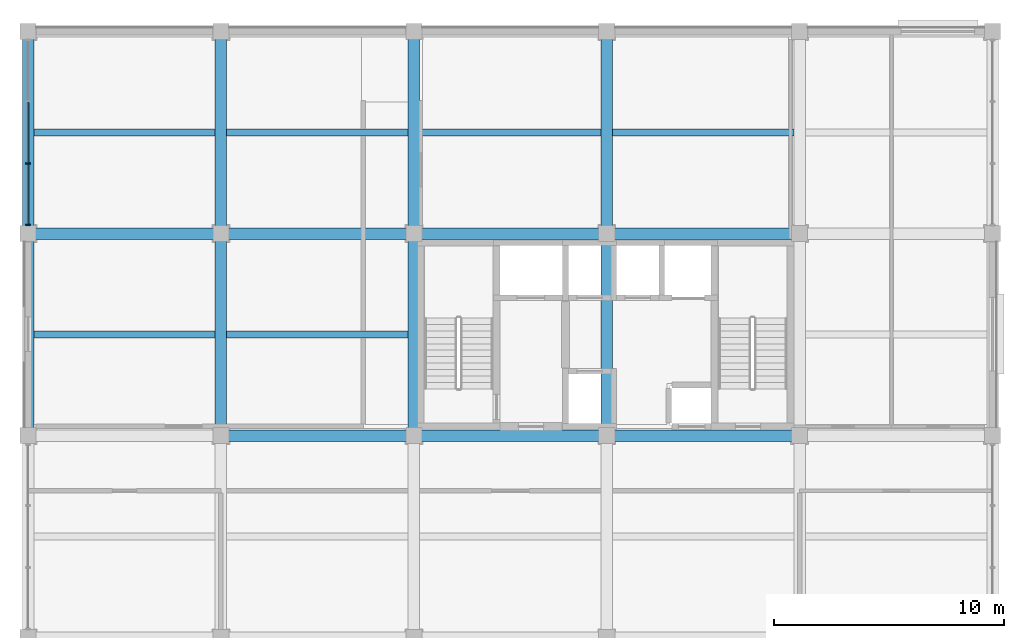
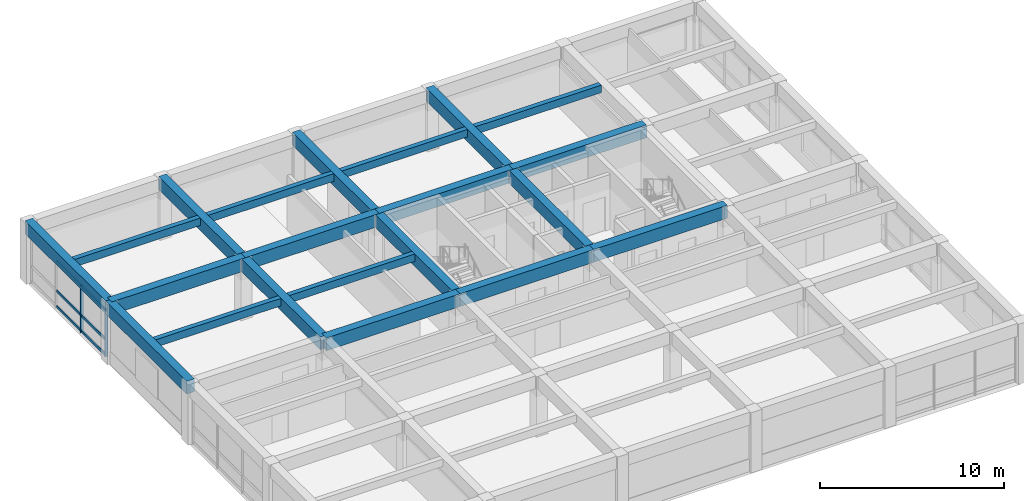
# One storey, part 3 of 14: 21 beams, 8 members, 1 element without a shape of its own.
"""IFC4 building model written with IfcOpenShell, lengths in metres."""

from ifc_helpers import new_model, si_unit, direction, frame, origin, origin_2d, place, context, subcontext, project, spatial, rectangle, extrude, material, material_profile, profile_set, type_object, element, aggregate, save


model = new_model("IFC4")

# Units and contexts
model_context = context("Model", 3, precision=1e-05, world=origin(), true_north=direction((0.0, 1.0)))
body_context = subcontext(model_context, "Body", "Model", "MODEL_VIEW")
ifc_project = project(units=[si_unit("LENGTHUNIT", "METRE"), si_unit("AREAUNIT", "SQUARE_METRE"), si_unit("VOLUMEUNIT", "CUBIC_METRE"), si_unit("PLANEANGLEUNIT", "RADIAN"), si_unit("MASSUNIT", "GRAM", prefix="KILO")], contexts=[model_context])

# Site, building, storey
site_placement = place(None, origin())
site = spatial("IfcSite", under=ifc_project, at=site_placement, CompositionType="ELEMENT")
building_placement = place(site_placement, origin())
building = spatial("IfcBuilding", under=site, at=building_placement, Name="Kemercrest Conservatory and Botanical Centre", CompositionType="ELEMENT")
storey_placement = place(building_placement, frame((0.0, 0.0, 28.800048828125)))
storey = spatial("IfcBuildingStorey", under=building, at=storey_placement, Name="L07", CompositionType="ELEMENT", Elevation=28.800048828125)

# Beams
ifc_material_1 = material(Name="Concrete C50/60", Category="concrete")
ifc_material_profile_1 = material_profile(ifc_material_1, rectangle(XDim=0.5, YDim=0.85009765625, at=origin_2d()), Name="RC 500x850")
ifc_profile_set_1 = profile_set([ifc_material_profile_1], Name="Concrete C50/60")
beam_type_1 = type_object("IfcBeamType", Name="BM-RC85", PredefinedType="BEAM", material=ifc_profile_set_1)
beam_1_placement = place(storey_placement, frame((142.39990234375, 104.800048828125, 3.574951171875), z_axis=(1.0, 0.0, 0.0), x_axis=(0.0, 1.0, 0.0)))
element("IfcBeam", 1, at=beam_1_placement, inside=storey, type_object=beam_type_1, Name="V4-L08 beam BM-RC85 M/17-18", PredefinedType="BEAM", context=body_context, shape_type="SweptSolid", body=[
    extrude(rectangle(XDim=0.5, YDim=0.85009765625, at=origin_2d()), origin(), (0.0, 0.0, 1.0), 8.400146484375),
])
beam_2_placement = place(storey_placement, frame((150.800048828125, 104.800048828125, 3.574951171875), z_axis=(1.0, 0.0, 0.0), x_axis=(0.0, 1.0, 0.0)))
element("IfcBeam", 2, at=beam_2_placement, inside=storey, type_object=beam_type_1, Name="V4-L08 beam BM-RC85 M/18-19", PredefinedType="BEAM", context=body_context, shape_type="SweptSolid", body=[
    extrude(rectangle(XDim=0.5, YDim=0.85009765625, at=origin_2d()), origin(), (0.0, 0.0, 1.0), 8.39990234375),
])
beam_3_placement = place(storey_placement, frame((159.199951171875, 104.800048828125, 3.574951171875), z_axis=(1.0, 0.0, 0.0), x_axis=(0.0, 1.0, 0.0)))
element("IfcBeam", 3, at=beam_3_placement, inside=storey, type_object=beam_type_1, Name="V4-L08 beam BM-RC85 M/19-20", PredefinedType="BEAM", context=body_context, shape_type="SweptSolid", body=[
    extrude(rectangle(XDim=0.5, YDim=0.85009765625, at=origin_2d()), origin(), (0.0, 0.0, 1.0), 8.400146484375),
])
beam_4_placement = place(storey_placement, frame((134.0, 113.60009765625, 3.574951171875), z_axis=(1.0, 0.0, 0.0), x_axis=(0.0, 1.0, 0.0)))
element("IfcBeam", 4, at=beam_4_placement, inside=storey, type_object=beam_type_1, Name="V4-L08 beam BM-RC85 N/16-17", PredefinedType="BEAM", context=body_context, shape_type="SweptSolid", body=[
    extrude(rectangle(XDim=0.5, YDim=0.85009765625, at=origin_2d()), origin(), (0.0, 0.0, 1.0), 8.39990234375),
])
beam_5_placement = place(storey_placement, frame((142.39990234375, 113.60009765625, 3.574951171875), z_axis=(1.0, 0.0, 0.0), x_axis=(0.0, 1.0, 0.0)))
element("IfcBeam", 5, at=beam_5_placement, inside=storey, type_object=beam_type_1, Name="V4-L08 beam BM-RC85 N/17-18", PredefinedType="BEAM", context=body_context, shape_type="SweptSolid", body=[
    extrude(rectangle(XDim=0.5, YDim=0.85009765625, at=origin_2d()), origin(), (0.0, 0.0, 1.0), 8.400146484375),
])
beam_6_placement = place(storey_placement, frame((150.800048828125, 113.60009765625, 3.574951171875), z_axis=(1.0, 0.0, 0.0), x_axis=(0.0, 1.0, 0.0)))
element("IfcBeam", 6, at=beam_6_placement, inside=storey, type_object=beam_type_1, Name="V4-L08 beam BM-RC85 N/18-19", PredefinedType="BEAM", context=body_context, shape_type="SweptSolid", body=[
    extrude(rectangle(XDim=0.5, YDim=0.85009765625, at=origin_2d()), origin(), (0.0, 0.0, 1.0), 8.39990234375),
])
beam_7_placement = place(storey_placement, frame((159.199951171875, 113.60009765625, 3.574951171875), z_axis=(1.0, 0.0, 0.0), x_axis=(0.0, 1.0, 0.0)))
element("IfcBeam", 7, at=beam_7_placement, inside=storey, type_object=beam_type_1, Name="V4-L08 beam BM-RC85 N/19-20", PredefinedType="BEAM", context=body_context, shape_type="SweptSolid", body=[
    extrude(rectangle(XDim=0.5, YDim=0.85009765625, at=origin_2d()), origin(), (0.0, 0.0, 1.0), 8.400146484375),
])
beam_8_placement = place(storey_placement, frame((142.39990234375, 104.800048828125, 3.574951171875), z_axis=(0.0, 1.0, 0.0), x_axis=(-1.0, 0.0, 0.0)))
element("IfcBeam", 8, at=beam_8_placement, inside=storey, type_object=beam_type_1, Name="V4-L08 beam BM-RC85 17/M-N", PredefinedType="BEAM", context=body_context, shape_type="SweptSolid", body=[
    extrude(rectangle(XDim=0.5, YDim=0.85009765625, at=origin_2d()), origin(), (0.0, 0.0, 1.0), 8.800048828125),
])
beam_9_placement = place(storey_placement, frame((142.39990234375, 113.60009765625, 3.574951171875), z_axis=(0.0, 1.0, 0.0), x_axis=(-1.0, 0.0, 0.0)))
element("IfcBeam", 9, at=beam_9_placement, inside=storey, type_object=beam_type_1, Name="V4-L08 beam BM-RC85 17/N-P", PredefinedType="BEAM", context=body_context, shape_type="SweptSolid", body=[
    extrude(rectangle(XDim=0.5, YDim=0.85009765625, at=origin_2d()), origin(), (0.0, 0.0, 1.0), 8.7998046875),
])
beam_10_placement = place(storey_placement, frame((150.800048828125, 104.800048828125, 3.574951171875), z_axis=(0.0, 1.0, 0.0), x_axis=(-1.0, 0.0, 0.0)))
element("IfcBeam", 10, at=beam_10_placement, inside=storey, type_object=beam_type_1, Name="V4-L08 beam BM-RC85 18/M-N", PredefinedType="BEAM", context=body_context, shape_type="SweptSolid", body=[
    extrude(rectangle(XDim=0.5, YDim=0.85009765625, at=origin_2d()), origin(), (0.0, 0.0, 1.0), 8.800048828125),
])
beam_11_placement = place(storey_placement, frame((150.800048828125, 113.60009765625, 3.574951171875), z_axis=(0.0, 1.0, 0.0), x_axis=(-1.0, 0.0, 0.0)))
element("IfcBeam", 11, at=beam_11_placement, inside=storey, type_object=beam_type_1, Name="V4-L08 beam BM-RC85 18/N-P", PredefinedType="BEAM", context=body_context, shape_type="SweptSolid", body=[
    extrude(rectangle(XDim=0.5, YDim=0.85009765625, at=origin_2d()), origin(), (0.0, 0.0, 1.0), 8.7998046875),
])
beam_12_placement = place(storey_placement, frame((159.199951171875, 104.800048828125, 3.574951171875), z_axis=(0.0, 1.0, 0.0), x_axis=(-1.0, 0.0, 0.0)))
element("IfcBeam", 12, at=beam_12_placement, inside=storey, type_object=beam_type_1, Name="V4-L08 beam BM-RC85 19/M-N", PredefinedType="BEAM", context=body_context, shape_type="SweptSolid", body=[
    extrude(rectangle(XDim=0.5, YDim=0.85009765625, at=origin_2d()), origin(), (0.0, 0.0, 1.0), 8.800048828125),
])
beam_13_placement = place(storey_placement, frame((159.199951171875, 113.60009765625, 3.574951171875), z_axis=(0.0, 1.0, 0.0), x_axis=(-1.0, 0.0, 0.0)))
element("IfcBeam", 13, at=beam_13_placement, inside=storey, type_object=beam_type_1, Name="V4-L08 beam BM-RC85 19/N-P", PredefinedType="BEAM", context=body_context, shape_type="SweptSolid", body=[
    extrude(rectangle(XDim=0.5, YDim=0.85009765625, at=origin_2d()), origin(), (0.0, 0.0, 1.0), 8.7998046875),
])

# Curtain wall, members
ifc_material_2 = material(Name="Thermally broken aluminium and triple low-e glazing", Category="aluminium")
curtain_wall_type = type_object("IfcCurtainWallType", Name="CW-03", PredefinedType="USERDEFINED", material=ifc_material_2)
curtain_wall_placement = place(storey_placement, origin())
curtain_wall = element("IfcCurtainWall", 14, at=curtain_wall_placement, inside=storey, type_object=curtain_wall_type, Name="Unitised curtain wall CW-03 (CW:L07:V4-092)", ObjectType="UNITISED CURTAIN WALL", PredefinedType="USERDEFINED")
ifc_material_3 = material(Name="Thermally broken anodized aluminium 6063-T6", Category="aluminium")
ifc_material_profile_2 = material_profile(ifc_material_3, rectangle(XDim=0.199951171875, YDim=0.06494140625, at=origin_2d()), Name="AL MULLION 65x200")
ifc_profile_set_2 = profile_set([ifc_material_profile_2], Name="Thermally broken anodized aluminium 6063-T6")
member_type_1 = type_object("IfcMemberType", Name="CW-M200", PredefinedType="MULLION", material=ifc_profile_set_2)
member_1_placement = place(storey_placement, frame((134.0, 116.6484375, 0.0), z_axis=(0.0, 0.0, 1.0), x_axis=(1.0, 0.0, 0.0)))
member_1 = element("IfcMember", 15, at=member_1_placement, type_object=member_type_1, Name="CW-03 mullion 3", PredefinedType="MULLION", context=body_context, shape_type="SweptSolid", body=[
    extrude(rectangle(XDim=0.199951171875, YDim=0.06494140625, at=origin_2d()), origin(), (0.0, 0.0, 1.0), 3.155029296875),
])
member_2_placement = place(storey_placement, frame((134.0, 113.9775390625, 0.0), z_axis=(0.0, 0.0, 1.0), x_axis=(1.0, 0.0, 0.0)))
member_2 = element("IfcMember", 16, at=member_2_placement, type_object=member_type_1, Name="CW-03 mullion 4", PredefinedType="MULLION", context=body_context, shape_type="SweptSolid", body=[
    extrude(rectangle(XDim=0.199951171875, YDim=0.06494140625, at=origin_2d()), origin(), (0.0, 0.0, 1.0), 3.155029296875),
])
ifc_material_profile_3 = material_profile(ifc_material_3, rectangle(XDim=0.074951171875, YDim=0.179931640625, at=origin_2d()), Name="AL TRANSOM 75x180")
ifc_profile_set_3 = profile_set([ifc_material_profile_3], Name="Thermally broken anodized aluminium 6063-T6")
member_type_2 = type_object("IfcMemberType", Name="CW-T180", PredefinedType="USERDEFINED", material=ifc_profile_set_3)
member_3_placement = place(storey_placement, frame((134.0, 119.319091796875, 0.08984375), z_axis=(0.0, -1.0, 0.0), x_axis=(1.0, 0.0, 0.0)))
member_3 = element("IfcMember", 17, at=member_3_placement, type_object=member_type_2, Name="CW-03 transom 2.1", ObjectType="TRANSOM", PredefinedType="USERDEFINED", context=body_context, shape_type="SweptSolid", body=[
    extrude(rectangle(XDim=0.074951171875, YDim=0.179931640625, at=origin_2d()), origin(), (0.0, 0.0, 1.0), 2.63818359375),
])
member_4_placement = place(storey_placement, frame((134.0, 119.319091796875, 1.119873046875), z_axis=(0.0, -1.0, 0.0), x_axis=(1.0, 0.0, 0.0)))
member_4 = element("IfcMember", 18, at=member_4_placement, type_object=member_type_2, Name="CW-03 transom 2.2", ObjectType="TRANSOM", PredefinedType="USERDEFINED", context=body_context, shape_type="SweptSolid", body=[
    extrude(rectangle(XDim=0.074951171875, YDim=0.179931640625, at=origin_2d()), origin(), (0.0, 0.0, 1.0), 2.63818359375),
])
member_5_placement = place(storey_placement, frame((134.0, 119.319091796875, 3.06494140625), z_axis=(0.0, -1.0, 0.0), x_axis=(1.0, 0.0, 0.0)))
member_5 = element("IfcMember", 19, at=member_5_placement, type_object=member_type_2, Name="CW-03 transom 2.3", ObjectType="TRANSOM", PredefinedType="USERDEFINED", context=body_context, shape_type="SweptSolid", body=[
    extrude(rectangle(XDim=0.074951171875, YDim=0.179931640625, at=origin_2d()), origin(), (0.0, 0.0, 1.0), 2.63818359375),
])
member_6_placement = place(storey_placement, frame((134.0, 116.61572265625, 0.08984375), z_axis=(0.0, -1.0, 0.0), x_axis=(1.0, 0.0, 0.0)))
member_6 = element("IfcMember", 20, at=member_6_placement, type_object=member_type_2, Name="CW-03 transom 3.1", ObjectType="TRANSOM", PredefinedType="USERDEFINED", context=body_context, shape_type="SweptSolid", body=[
    extrude(rectangle(XDim=0.074951171875, YDim=0.179931640625, at=origin_2d()), origin(), (0.0, 0.0, 1.0), 2.605712890625),
])
member_7_placement = place(storey_placement, frame((134.0, 116.61572265625, 1.119873046875), z_axis=(0.0, -1.0, 0.0), x_axis=(1.0, 0.0, 0.0)))
member_7 = element("IfcMember", 21, at=member_7_placement, type_object=member_type_2, Name="CW-03 transom 3.2", ObjectType="TRANSOM", PredefinedType="USERDEFINED", context=body_context, shape_type="SweptSolid", body=[
    extrude(rectangle(XDim=0.074951171875, YDim=0.179931640625, at=origin_2d()), origin(), (0.0, 0.0, 1.0), 2.605712890625),
])
member_8_placement = place(storey_placement, frame((134.0, 116.61572265625, 3.06494140625), z_axis=(0.0, -1.0, 0.0), x_axis=(1.0, 0.0, 0.0)))
member_8 = element("IfcMember", 22, at=member_8_placement, type_object=member_type_2, Name="CW-03 transom 3.3", ObjectType="TRANSOM", PredefinedType="USERDEFINED", context=body_context, shape_type="SweptSolid", body=[
    extrude(rectangle(XDim=0.074951171875, YDim=0.179931640625, at=origin_2d()), origin(), (0.0, 0.0, 1.0), 2.605712890625),
])
aggregate(curtain_wall, [member_1, member_2, member_3, member_4, member_5, member_6, member_7, member_8])

# Beams
ifc_material_4 = material(Name="Concrete C40/50", Category="concrete")
ifc_material_profile_4 = material_profile(ifc_material_4, rectangle(XDim=0.300048828125, YDim=0.5, at=origin_2d()), Name="RC 300x500")
ifc_profile_set_4 = profile_set([ifc_material_profile_4], Name="Concrete C40/50")
beam_type_2 = type_object("IfcBeamType", Name="JS-RC50", PredefinedType="JOIST", material=ifc_profile_set_4)
beam_14_placement = place(storey_placement, frame((134.25, 109.199951171875, 3.75), z_axis=(1.0, 0.0, 0.0), x_axis=(0.0, 1.0, 0.0)))
element("IfcBeam", 23, at=beam_14_placement, inside=storey, type_object=beam_type_2, Name="V4-L08 secondary joist JS-RC50", PredefinedType="JOIST", context=body_context, shape_type="SweptSolid", body=[
    extrude(rectangle(XDim=0.300048828125, YDim=0.5, at=origin_2d()), origin(), (0.0, 0.0, 1.0), 7.89990234375),
])
beam_15_placement = place(storey_placement, frame((142.64990234375, 109.199951171875, 3.75), z_axis=(1.0, 0.0, 0.0), x_axis=(0.0, 1.0, 0.0)))
element("IfcBeam", 24, at=beam_15_placement, inside=storey, type_object=beam_type_2, Name="V4-L08 secondary joist JS-RC50", PredefinedType="JOIST", context=body_context, shape_type="SweptSolid", body=[
    extrude(rectangle(XDim=0.300048828125, YDim=0.5, at=origin_2d()), origin(), (0.0, 0.0, 1.0), 7.900146484375),
])
beam_16_placement = place(storey_placement, frame((134.25, 118.0, 3.75), z_axis=(1.0, 0.0, 0.0), x_axis=(0.0, 1.0, 0.0)))
element("IfcBeam", 25, at=beam_16_placement, inside=storey, type_object=beam_type_2, Name="V4-L08 secondary joist JS-RC50", PredefinedType="JOIST", context=body_context, shape_type="SweptSolid", body=[
    extrude(rectangle(XDim=0.300048828125, YDim=0.5, at=origin_2d()), origin(), (0.0, 0.0, 1.0), 7.89990234375),
])
beam_17_placement = place(storey_placement, frame((142.64990234375, 118.0, 3.75), z_axis=(1.0, 0.0, 0.0), x_axis=(0.0, 1.0, 0.0)))
element("IfcBeam", 26, at=beam_17_placement, inside=storey, type_object=beam_type_2, Name="V4-L08 secondary joist JS-RC50", PredefinedType="JOIST", context=body_context, shape_type="SweptSolid", body=[
    extrude(rectangle(XDim=0.300048828125, YDim=0.5, at=origin_2d()), origin(), (0.0, 0.0, 1.0), 7.900146484375),
])
beam_18_placement = place(storey_placement, frame((151.050048828125, 118.0, 3.75), z_axis=(1.0, 0.0, 0.0), x_axis=(0.0, 1.0, 0.0)))
element("IfcBeam", 27, at=beam_18_placement, inside=storey, type_object=beam_type_2, Name="V4-L08 secondary joist JS-RC50", PredefinedType="JOIST", context=body_context, shape_type="SweptSolid", body=[
    extrude(rectangle(XDim=0.300048828125, YDim=0.5, at=origin_2d()), origin(), (0.0, 0.0, 1.0), 7.89990234375),
])
beam_19_placement = place(storey_placement, frame((159.449951171875, 118.0, 3.75), z_axis=(1.0, 0.0, 0.0), x_axis=(0.0, 1.0, 0.0)))
element("IfcBeam", 28, at=beam_19_placement, inside=storey, type_object=beam_type_2, Name="V4-L08 secondary joist JS-RC50", PredefinedType="JOIST", context=body_context, shape_type="SweptSolid", body=[
    extrude(rectangle(XDim=0.300048828125, YDim=0.5, at=origin_2d()), origin(), (0.0, 0.0, 1.0), 7.900146484375),
])
ifc_material_profile_5 = material_profile(ifc_material_1, rectangle(XDim=0.5, YDim=0.85009765625, at=origin_2d()), Name="RC 500x850")
ifc_profile_set_5 = profile_set([ifc_material_profile_5], Name="Concrete C50/60")
beam_type_3 = type_object("IfcBeamType", Name="SP-RC85", PredefinedType="SPANDREL", material=ifc_profile_set_5)
beam_20_placement = place(storey_placement, frame((134.0, 104.800048828125, 3.574951171875), z_axis=(0.0, 1.0, 0.0), x_axis=(-1.0, 0.0, 0.0)))
element("IfcBeam", 29, at=beam_20_placement, inside=storey, type_object=beam_type_3, Name="V4-L08 beam SP-RC85 16/M-N", PredefinedType="SPANDREL", context=body_context, shape_type="SweptSolid", body=[
    extrude(rectangle(XDim=0.5, YDim=0.85009765625, at=origin_2d()), origin(), (0.0, 0.0, 1.0), 8.800048828125),
])
beam_21_placement = place(storey_placement, frame((134.0, 113.60009765625, 3.574951171875), z_axis=(0.0, 1.0, 0.0), x_axis=(-1.0, 0.0, 0.0)))
element("IfcBeam", 30, at=beam_21_placement, inside=storey, type_object=beam_type_3, Name="V4-L08 beam SP-RC85 16/N-P", PredefinedType="SPANDREL", context=body_context, shape_type="SweptSolid", body=[
    extrude(rectangle(XDim=0.5, YDim=0.85009765625, at=origin_2d()), origin(), (0.0, 0.0, 1.0), 8.7998046875),
])

save(model, "model.ifc")
